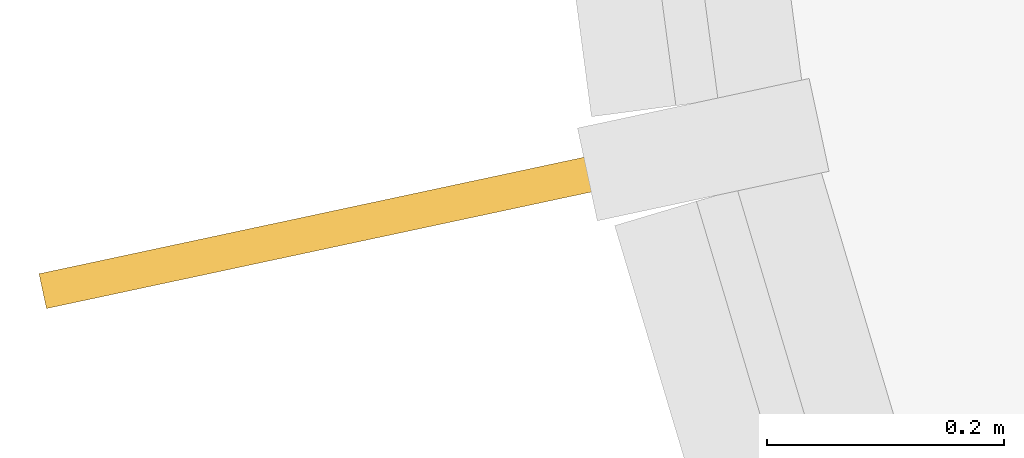
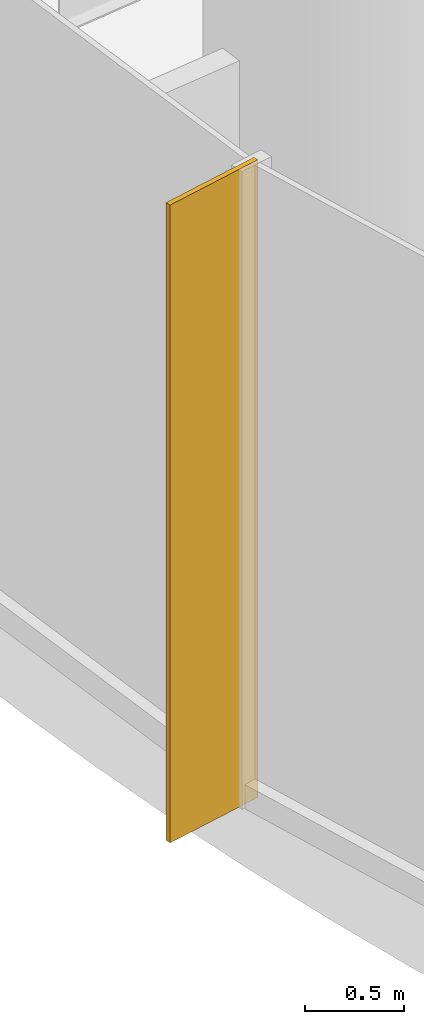
# One storey, part 16 of 18: 1 shading device.
"""IFC4 building model written with IfcOpenShell, lengths in metres."""

from ifc_helpers import new_model, si_unit, direction, frame, origin, origin_2d, place, context, subcontext, project, spatial, rectangle, extrude, source, transform, mapped, material, material_profile, profile_set, type_object, element, save


model = new_model("IFC4")

# Units and contexts
model_context = context("Model", 3, precision=1e-05, world=origin(), true_north=direction((0.0, 1.0)))
body_context = subcontext(model_context, "Body", "Model", "MODEL_VIEW")
ifc_project = project(units=[si_unit("LENGTHUNIT", "METRE"), si_unit("AREAUNIT", "SQUARE_METRE"), si_unit("VOLUMEUNIT", "CUBIC_METRE"), si_unit("PLANEANGLEUNIT", "RADIAN"), si_unit("MASSUNIT", "GRAM", prefix="KILO")], contexts=[model_context])

# Site, building, storey
site_placement = place(None, origin())
site = spatial("IfcSite", under=ifc_project, at=site_placement, CompositionType="ELEMENT")
building_placement = place(site_placement, origin())
building = spatial("IfcBuilding", under=site, at=building_placement, Name="Spindrift Exchange Tower", CompositionType="ELEMENT")
storey_placement = place(building_placement, frame((0.0, 0.0, 40.199951171875)))
storey = spatial("IfcBuildingStorey", under=building, at=storey_placement, Name="L09", CompositionType="ELEMENT", Elevation=40.199951171875)

# Shading device
ifc_material = material(Name="Bronze anodised aluminium", Category="aluminium")
ifc_material_profile = material_profile(ifc_material, rectangle(XDim=0.030029296875, YDim=0.60009765625, at=origin_2d()), Name="WIND FIN 30X600")
ifc_profile_set = profile_set([ifc_material_profile], Name="Bronze anodised aluminium")
shading_device_type = type_object("IfcShadingDeviceType", Name="WIND FIN 30X600", PredefinedType="USERDEFINED", material=ifc_profile_set)
shared_shape = source(origin(), body_context, "Body", "SweptSolid", [
    extrude(rectangle(XDim=0.030029296875, YDim=0.60009765625, at=origin_2d()), origin(), (0.0, 0.0, 1.0), 3.949951171875),
])
shading_device_placement = place(storey_placement, frame((14.025390625, 41.134765625, 0.0), z_axis=(0.0, 0.0, 1.0), x_axis=(0.209190197828, -0.977874972137, 0.0)))
element("IfcShadingDevice", 1, at=shading_device_placement, inside=storey, type_object=shading_device_type, Name="L09 wind fin 1", ObjectType="FIN", PredefinedType="USERDEFINED", context=body_context, shape_type="MappedRepresentation", body=[
    mapped(shared_shape, transform((0.0, 0.0, 0.0), scale=1.0)),
])

save(model, "model.ifc")
